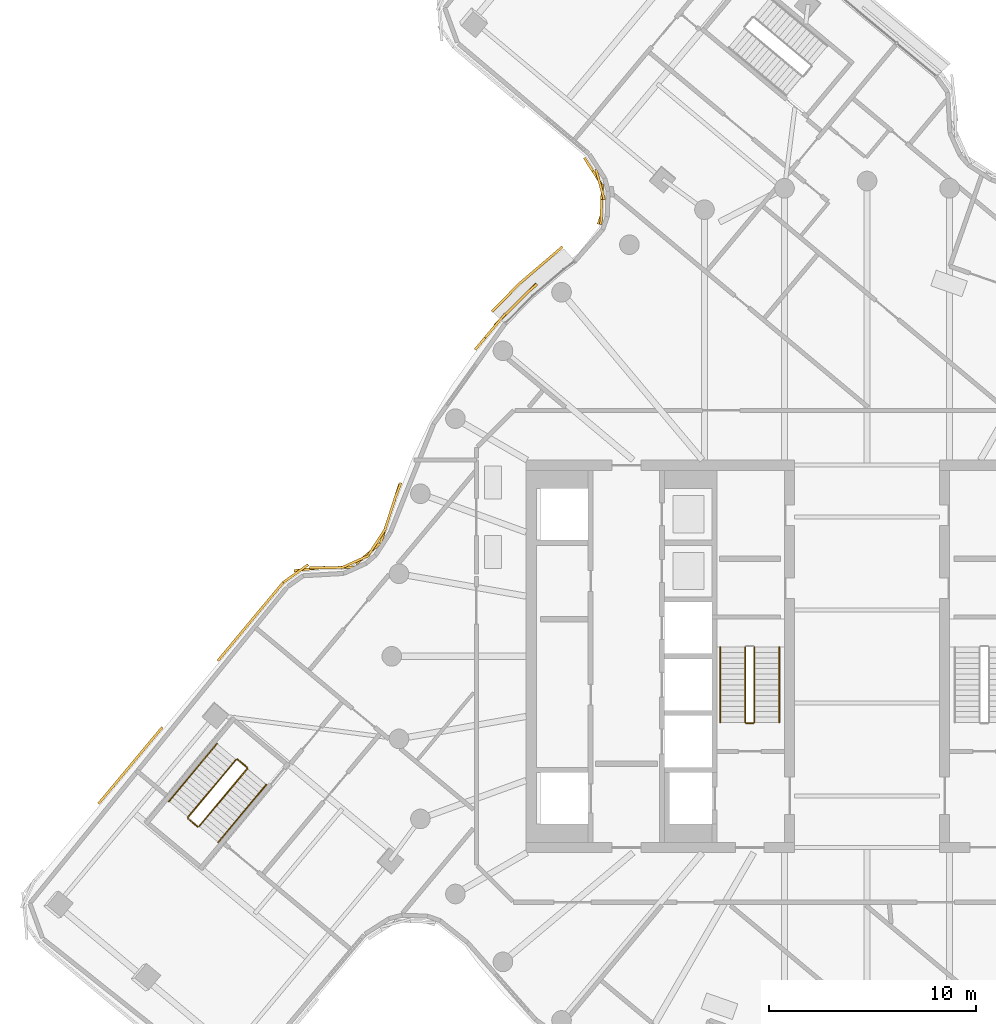
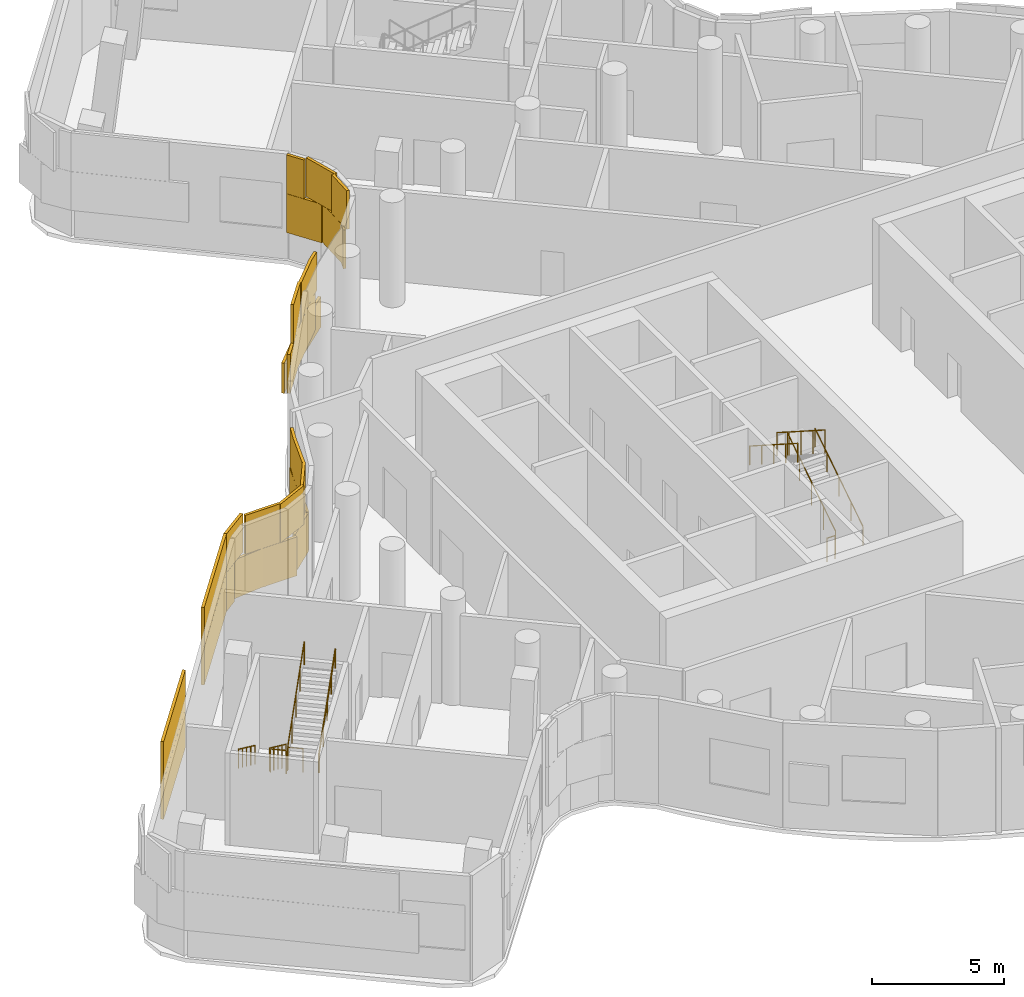
# One storey, part 15 of 19: 11 railings, 4 coverings.
"""IFC4 building model written with IfcOpenShell, lengths in metres."""

from ifc_helpers import new_model, si_unit, direction, frame, origin, origin_2d, place, context, subcontext, project, spatial, rectangle, circle, extrude, material, layer, layer_set, type_object, element, save


model = new_model("IFC4")

# Units and contexts
model_context = context("Model", 3, precision=1e-05, world=origin(), true_north=direction((0.0, 1.0)))
body_context = subcontext(model_context, "Body", "Model", "MODEL_VIEW")
ifc_project = project(units=[si_unit("LENGTHUNIT", "METRE"), si_unit("AREAUNIT", "SQUARE_METRE"), si_unit("VOLUMEUNIT", "CUBIC_METRE"), si_unit("PLANEANGLEUNIT", "RADIAN"), si_unit("MASSUNIT", "GRAM", prefix="KILO")], contexts=[model_context])

# Site, building, storey
site_placement = place(None, origin())
site = spatial("IfcSite", under=ifc_project, at=site_placement, CompositionType="ELEMENT")
building_placement = place(site_placement, origin())
building = spatial("IfcBuilding", under=site, at=building_placement, Name="Tamarind Cross Interchange Tower", CompositionType="ELEMENT")
storey_placement = place(building_placement, frame((0.0, 0.0, 214.89990234375)))
storey = spatial("IfcBuildingStorey", under=building, at=storey_placement, Name="L54", CompositionType="ELEMENT", Elevation=214.89990234375)

# Railings
ifc_material_1 = material(Name="Stair guard")
railing_type_1 = type_object("IfcRailingType", Name="Stair guard", PredefinedType="GUARDRAIL", material=ifc_material_1)
railing_1_placement = place(storey_placement, frame((-5.449951171875, -3.199951171875, 0.166748046875)))
element("IfcRailing", 1, at=railing_1_placement, inside=storey, type_object=railing_type_1, Name="L54 ST1 stair guard 1", PredefinedType="GUARDRAIL", context=body_context, shape_type="SweptSolid", body=[
    extrude(circle(Radius=0.02392578125, at=origin_2d()), frame((0.0, 0.0, 1.076171875), z_axis=(0.0, 0.841880454617, 0.539664062296), x_axis=(-1.0, 0.0, 0.0)), (0.0, 0.0, 1.0), 4.323486328125),
    extrude(circle(Radius=0.02099609375, at=origin_2d()), origin(), (0.0, 0.0, 1.0), 1.052001953125),
    extrude(circle(Radius=0.02099609375, at=origin_2d()), frame((0.0, 0.909912109375, 0.583251953125)), (0.0, 0.0, 1.0), 1.052001953125),
    extrude(circle(Radius=0.02099609375, at=origin_2d()), frame((0.0, 1.81982421875, 1.16650390625)), (0.0, 0.0, 1.0), 1.052001953125),
    extrude(circle(Radius=0.02099609375, at=origin_2d()), frame((0.0, 2.72998046875, 1.75)), (0.0, 0.0, 1.0), 1.052001953125),
    extrude(circle(Radius=0.02099609375, at=origin_2d()), frame((0.0, 3.639892578125, 2.333251953125)), (0.0, 0.0, 1.0), 1.052001953125),
])
railing_2_placement = place(storey_placement, frame((-5.89990234375, 0.43994140625, 2.666748046875)))
element("IfcRailing", 2, at=railing_2_placement, inside=storey, type_object=railing_type_1, Name="L54 ST1 stair guard 3", PredefinedType="GUARDRAIL", context=body_context, shape_type="SweptSolid", body=[
    extrude(circle(Radius=0.02392578125, at=origin_2d()), frame((0.0, 0.0, 1.076171875), z_axis=(0.0, -0.841880454617, 0.539664062296), x_axis=(1.0, 0.0, 0.0)), (0.0, 0.0, 1.0), 4.323486328125),
    extrude(circle(Radius=0.02099609375, at=origin_2d()), origin(), (0.0, 0.0, 1.0), 1.052001953125),
    extrude(circle(Radius=0.02099609375, at=origin_2d()), frame((0.0, -0.909912109375, 0.583251953125)), (0.0, 0.0, 1.0), 1.052001953125),
    extrude(circle(Radius=0.02099609375, at=origin_2d()), frame((0.0, -1.81982421875, 1.16650390625)), (0.0, 0.0, 1.0), 1.052001953125),
    extrude(circle(Radius=0.02099609375, at=origin_2d()), frame((0.0, -2.72998046875, 1.75)), (0.0, 0.0, 1.0), 1.052001953125),
    extrude(circle(Radius=0.02099609375, at=origin_2d()), frame((0.0, -3.639892578125, 2.333251953125)), (0.0, 0.0, 1.0), 1.052001953125),
])
railing_3_placement = place(storey_placement, frame((-5.5, -3.25, 0.0)))
element("IfcRailing", 3, at=railing_3_placement, inside=storey, type_object=railing_type_1, Name="L54 ST1 stair guard 4", PredefinedType="GUARDRAIL", context=body_context, shape_type="SweptSolid", body=[
    extrude(circle(Radius=0.02392578125, at=origin_2d()), frame((0.0, 0.0, 1.076171875), z_axis=(-1.0, 0.0, 0.0), x_axis=(0.0, -1.0, 0.0)), (0.0, 0.0, 1.0), 0.35009765625),
    extrude(circle(Radius=0.02099609375, at=origin_2d()), origin(), (0.0, 0.0, 1.0), 1.052001953125),
    extrude(circle(Radius=0.02099609375, at=origin_2d()), frame((-0.35009765625, 0.0, 0.0)), (0.0, 0.0, 1.0), 1.052001953125),
])
railing_4_placement = place(storey_placement, frame((-30.531005859375, -4.9931640625, 0.166748046875)))
element("IfcRailing", 4, at=railing_4_placement, inside=storey, type_object=railing_type_1, Name="L54 ST5 stair guard 1", PredefinedType="GUARDRAIL", context=body_context, shape_type="SweptSolid", body=[
    extrude(circle(Radius=0.02392578125, at=origin_2d()), frame((0.0, 0.0, 1.076171875), z_axis=(-0.539465034824, -0.646352967723, 0.539634429329), x_axis=(0.767731785884, -0.640771335925, 0.0)), (0.0, 0.0, 1.0), 4.32373046875),
    extrude(circle(Radius=0.02099609375, at=origin_2d()), origin(), (0.0, 0.0, 1.0), 1.052001953125),
    extrude(circle(Radius=0.02099609375, at=origin_2d()), frame((-0.5830078125, -0.69873046875, 0.583251953125)), (0.0, 0.0, 1.0), 1.052001953125),
    extrude(circle(Radius=0.02099609375, at=origin_2d()), frame((-1.166259765625, -1.3974609375, 1.16650390625)), (0.0, 0.0, 1.0), 1.052001953125),
    extrude(circle(Radius=0.02099609375, at=origin_2d()), frame((-1.74951171875, -2.095947265625, 1.75)), (0.0, 0.0, 1.0), 1.052001953125),
    extrude(circle(Radius=0.02099609375, at=origin_2d()), frame((-2.33251953125, -2.794677734375, 2.333251953125)), (0.0, 0.0, 1.0), 1.052001953125),
])
railing_5_placement = place(storey_placement, frame((-32.857177734375, -7.858154296875, 2.5)))
element("IfcRailing", 5, at=railing_5_placement, inside=storey, type_object=railing_type_1, Name="L54 ST5 stair guard 2", PredefinedType="GUARDRAIL", context=body_context, shape_type="SweptSolid", body=[
    extrude(circle(Radius=0.02392578125, at=origin_2d()), frame((0.0, 0.0, 1.076171875), z_axis=(0.767720823012, -0.640784470718, 0.0), x_axis=(0.640784470718, 0.767720823012, 0.0)), (0.0, 0.0, 1.0), 0.60009765625),
    extrude(circle(Radius=0.02099609375, at=origin_2d()), origin(), (0.0, 0.0, 1.0), 1.052001953125),
    extrude(circle(Radius=0.02099609375, at=origin_2d()), frame((0.460693359375, -0.384521484375, 0.0)), (0.0, 0.0, 1.0), 1.052001953125),
])
railing_6_placement = place(storey_placement, frame((-32.326171875, -8.236328125, 2.666748046875)))
element("IfcRailing", 6, at=railing_6_placement, inside=storey, type_object=railing_type_1, Name="L54 ST5 stair guard 3", PredefinedType="GUARDRAIL", context=body_context, shape_type="SweptSolid", body=[
    extrude(circle(Radius=0.02392578125, at=origin_2d()), frame((0.0, 0.0, 1.076171875), z_axis=(0.539484723473, 0.646320090525, 0.539654124161), x_axis=(-0.76770424629, 0.640804330688, 0.0)), (0.0, 0.0, 1.0), 4.323486328125),
    extrude(circle(Radius=0.02099609375, at=origin_2d()), origin(), (0.0, 0.0, 1.0), 1.052001953125),
    extrude(circle(Radius=0.02099609375, at=origin_2d()), frame((0.5830078125, 0.69873046875, 0.583251953125)), (0.0, 0.0, 1.0), 1.052001953125),
    extrude(circle(Radius=0.02099609375, at=origin_2d()), frame((1.166259765625, 1.397216796875, 1.16650390625)), (0.0, 0.0, 1.0), 1.052001953125),
    extrude(circle(Radius=0.02099609375, at=origin_2d()), frame((1.74951171875, 2.095703125, 1.75)), (0.0, 0.0, 1.0), 1.052001953125),
    extrude(circle(Radius=0.02099609375, at=origin_2d()), frame((2.33251953125, 2.79443359375, 2.333251953125)), (0.0, 0.0, 1.0), 1.052001953125),
])
railing_7_placement = place(storey_placement, frame((-30.460693359375, -4.98681640625, 0.0)))
element("IfcRailing", 7, at=railing_7_placement, inside=storey, type_object=railing_type_1, Name="L54 ST5 stair guard 4", PredefinedType="GUARDRAIL", context=body_context, shape_type="SweptSolid", body=[
    extrude(circle(Radius=0.02392578125, at=origin_2d()), frame((0.0, 0.0, 1.076171875), z_axis=(0.767720823012, -0.640784470718, 0.0), x_axis=(0.640784470718, 0.767720823012, 0.0)), (0.0, 0.0, 1.0), 0.60009765625),
    extrude(circle(Radius=0.02099609375, at=origin_2d()), origin(), (0.0, 0.0, 1.0), 1.052001953125),
    extrude(circle(Radius=0.02099609375, at=origin_2d()), frame((0.460693359375, -0.384521484375, 0.0)), (0.0, 0.0, 1.0), 1.052001953125),
])
ifc_material_2 = material(Name="Stair handrail")
railing_type_2 = type_object("IfcRailingType", Name="Stair handrail", PredefinedType="HANDRAIL", material=ifc_material_2)
railing_8_placement = place(storey_placement, frame((-4.25, -3.199951171875, 0.166748046875)))
element("IfcRailing", 8, at=railing_8_placement, inside=storey, type_object=railing_type_2, Name="L54 ST1 stair handrail 1", PredefinedType="HANDRAIL", context=body_context, shape_type="SweptSolid", body=[
    extrude(circle(Radius=0.02392578125, at=origin_2d()), frame((0.0, 0.0, 0.8759765625), z_axis=(0.0, 0.841880454617, 0.539664062296), x_axis=(-1.0, 0.0, 0.0)), (0.0, 0.0, 1.0), 4.323486328125),
    extrude(circle(Radius=0.02099609375, at=origin_2d()), origin(), (0.0, 0.0, 1.0), 0.851806640625),
    extrude(circle(Radius=0.02099609375, at=origin_2d()), frame((0.0, 0.909912109375, 0.583251953125)), (0.0, 0.0, 1.0), 0.851806640625),
    extrude(circle(Radius=0.02099609375, at=origin_2d()), frame((0.0, 1.81982421875, 1.16650390625)), (0.0, 0.0, 1.0), 0.851806640625),
    extrude(circle(Radius=0.02099609375, at=origin_2d()), frame((0.0, 2.72998046875, 1.75)), (0.0, 0.0, 1.0), 0.851806640625),
    extrude(circle(Radius=0.02099609375, at=origin_2d()), frame((0.0, 3.639892578125, 2.333251953125)), (0.0, 0.0, 1.0), 0.851806640625),
])
railing_9_placement = place(storey_placement, frame((-7.10009765625, 0.43994140625, 2.666748046875)))
element("IfcRailing", 9, at=railing_9_placement, inside=storey, type_object=railing_type_2, Name="L54 ST1 stair handrail 2", PredefinedType="HANDRAIL", context=body_context, shape_type="SweptSolid", body=[
    extrude(circle(Radius=0.02392578125, at=origin_2d()), frame((0.0, 0.0, 0.8759765625), z_axis=(0.0, -0.841880454617, 0.539664062296), x_axis=(1.0, 0.0, 0.0)), (0.0, 0.0, 1.0), 4.323486328125),
    extrude(circle(Radius=0.02099609375, at=origin_2d()), origin(), (0.0, 0.0, 1.0), 0.851806640625),
    extrude(circle(Radius=0.02099609375, at=origin_2d()), frame((0.0, -0.909912109375, 0.583251953125)), (0.0, 0.0, 1.0), 0.851806640625),
    extrude(circle(Radius=0.02099609375, at=origin_2d()), frame((0.0, -1.81982421875, 1.16650390625)), (0.0, 0.0, 1.0), 0.851806640625),
    extrude(circle(Radius=0.02099609375, at=origin_2d()), frame((0.0, -2.72998046875, 1.75)), (0.0, 0.0, 1.0), 0.851806640625),
    extrude(circle(Radius=0.02099609375, at=origin_2d()), frame((0.0, -3.639892578125, 2.333251953125)), (0.0, 0.0, 1.0), 0.851806640625),
])
railing_10_placement = place(storey_placement, frame((-31.452392578125, -4.224365234375, 0.166748046875)))
element("IfcRailing", 10, at=railing_10_placement, inside=storey, type_object=railing_type_2, Name="L54 ST5 stair handrail 1", PredefinedType="HANDRAIL", context=body_context, shape_type="SweptSolid", body=[
    extrude(circle(Radius=0.02392578125, at=origin_2d()), frame((0.0, 0.0, 0.8759765625), z_axis=(-0.539444689086, -0.646339779261, 0.53967056355), x_axis=(0.76773724256, -0.640764798024, 0.0)), (0.0, 0.0, 1.0), 4.323486328125),
    extrude(circle(Radius=0.02099609375, at=origin_2d()), origin(), (0.0, 0.0, 1.0), 0.851806640625),
    extrude(circle(Radius=0.02099609375, at=origin_2d()), frame((-0.5830078125, -0.69873046875, 0.583251953125)), (0.0, 0.0, 1.0), 0.851806640625),
    extrude(circle(Radius=0.02099609375, at=origin_2d()), frame((-1.166015625, -1.397216796875, 1.16650390625)), (0.0, 0.0, 1.0), 0.851806640625),
    extrude(circle(Radius=0.02099609375, at=origin_2d()), frame((-1.749267578125, -2.095703125, 1.75)), (0.0, 0.0, 1.0), 0.851806640625),
    extrude(circle(Radius=0.02099609375, at=origin_2d()), frame((-2.332275390625, -2.79443359375, 2.333251953125)), (0.0, 0.0, 1.0), 0.851806640625),
])
railing_11_placement = place(storey_placement, frame((-31.40478515625, -9.00537109375, 2.666748046875)))
element("IfcRailing", 11, at=railing_11_placement, inside=storey, type_object=railing_type_2, Name="L54 ST5 stair handrail 2", PredefinedType="HANDRAIL", context=body_context, shape_type="SweptSolid", body=[
    extrude(circle(Radius=0.02392578125, at=origin_2d()), frame((0.0, 0.0, 0.8759765625), z_axis=(0.539425000698, 0.646372656024, 0.539650866919), x_axis=(-0.76776477994, 0.64073180246, 0.0)), (0.0, 0.0, 1.0), 4.32373046875),
    extrude(circle(Radius=0.02099609375, at=origin_2d()), origin(), (0.0, 0.0, 1.0), 0.851806640625),
    extrude(circle(Radius=0.02099609375, at=origin_2d()), frame((0.5830078125, 0.69873046875, 0.583251953125)), (0.0, 0.0, 1.0), 0.851806640625),
    extrude(circle(Radius=0.02099609375, at=origin_2d()), frame((1.166015625, 1.3974609375, 1.16650390625)), (0.0, 0.0, 1.0), 0.851806640625),
    extrude(circle(Radius=0.02099609375, at=origin_2d()), frame((1.749267578125, 2.095947265625, 1.75)), (0.0, 0.0, 1.0), 0.851806640625),
    extrude(circle(Radius=0.02099609375, at=origin_2d()), frame((2.332275390625, 2.794677734375, 2.333251953125)), (0.0, 0.0, 1.0), 0.851806640625),
])

# Coverings
ifc_material_3 = material(Name="Terracotta", Category="masonry")
ifc_layer = layer(ifc_material_3, 0.1201171875)
ifc_layer_set = layer_set([ifc_layer], Name="Terracotta")
covering_type = type_object("IfcCoveringType", Name="Terracotta baguette screen unit", PredefinedType="MOLDING", material=ifc_layer_set)
covering_1_placement = place(storey_placement, origin())
element("IfcCovering", 12, at=covering_1_placement, inside=storey, type_object=covering_type, Name="SCR-L54-10-00", PredefinedType="MOLDING", context=body_context, shape_type="SweptSolid", body=[
    extrude(rectangle(XDim=1.510009765625, YDim=0.1201171875, at=origin_2d()), frame((-13.26953125, 23.488037109375, 1.404052734375), z_axis=(0.0, 0.0, 1.0), x_axis=(0.54043201221, -0.841387687204, 0.0)), (0.0, 0.0, 1.0), 1.7919921875),
    extrude(rectangle(XDim=1.52001953125, YDim=0.1201171875, at=origin_2d()), frame((-12.833740234375, 22.09716796875, 1.404052734375), z_axis=(0.0, 0.0, 1.0), x_axis=(-0.03771882243, -0.999288392024, 0.0)), (0.0, 0.0, 1.0), 1.7919921875),
    extrude(rectangle(XDim=0.46630859375, YDim=0.1201171875, at=origin_2d()), frame((-12.9306640625, 21.13134765625, 1.404052734375), z_axis=(0.0, 0.0, 1.0), x_axis=(-0.335434954625, -0.942063369002, 0.0)), (0.0, 0.0, 1.0), 1.7919921875),
    extrude(rectangle(XDim=1.353759765625, YDim=0.1201171875, at=origin_2d()), frame((-16.48095703125, 17.5576171875, 1.404052734375), z_axis=(0.0, 0.0, 1.0), x_axis=(-0.704057148523, -0.710143317658, 0.0)), (0.0, 0.0, 1.0), 1.7919921875),
    extrude(rectangle(XDim=1.52001953125, YDim=0.1201171875, at=origin_2d()), frame((-17.48193359375, 16.548095703125, 1.404052734375), z_axis=(0.0, 0.0, 1.0), x_axis=(-0.704057148523, -0.710143317658, 0.0)), (0.0, 0.0, 1.0), 1.7919921875),
    extrude(rectangle(XDim=1.52001953125, YDim=0.1201171875, at=origin_2d()), frame((-18.47314453125, 15.423583984375, 1.404052734375), z_axis=(0.0, 0.0, 1.0), x_axis=(-0.643009266048, -0.765858396687, 0.0)), (0.0, 0.0, 1.0), 1.7919921875),
    extrude(rectangle(XDim=0.760009765625, YDim=0.1201171875, at=origin_2d()), frame((-13.47216796875, 23.8037109375, 3.2041015625), z_axis=(0.0, 0.0, 1.0), x_axis=(0.54043201221, -0.841387687204, 0.0)), (0.0, 0.0, 1.0), 1.7919921875),
    extrude(rectangle(XDim=1.52001953125, YDim=0.1201171875, at=origin_2d()), frame((-12.91650390625, 22.833740234375, 3.2041015625), z_axis=(0.0, 0.0, 1.0), x_axis=(0.26346403158, -0.964669220025, 0.0)), (0.0, 0.0, 1.0), 1.7919921875),
    extrude(rectangle(XDim=1.21630859375, YDim=0.1201171875, at=origin_2d()), frame((-12.8564453125, 21.494384765625, 3.2041015625), z_axis=(0.0, 0.0, 1.0), x_axis=(-0.03771882243, -0.999288392024, 0.0)), (0.0, 0.0, 1.0), 1.7919921875),
    extrude(rectangle(XDim=0.603759765625, YDim=0.1201171875, at=origin_2d()), frame((-16.203125, 17.80908203125, 3.2041015625), z_axis=(0.0, 0.0, 1.0), x_axis=(-0.760295606781, -0.64957723968, 0.0)), (0.0, 0.0, 1.0), 1.7919921875),
    extrude(rectangle(XDim=1.52001953125, YDim=0.1201171875, at=origin_2d()), frame((-16.953857421875, 17.08056640625, 3.2041015625), z_axis=(0.0, 0.0, 1.0), x_axis=(-0.704057148523, -0.710143317658, 0.0)), (0.0, 0.0, 1.0), 1.7919921875),
    extrude(rectangle(XDim=1.52001953125, YDim=0.1201171875, at=origin_2d()), frame((-17.990966796875, 15.998046875, 3.2041015625), z_axis=(0.0, 0.0, 1.0), x_axis=(-0.643009266048, -0.765858396687, 0.0)), (0.0, 0.0, 1.0), 1.7919921875),
    extrude(rectangle(XDim=1.385986328125, YDim=0.1201171875, at=origin_2d()), frame((-15.268798828125, 19.362548828125, 0.004150390625), z_axis=(0.0, 0.0, 1.0), x_axis=(-0.760295606781, -0.64957723968, 0.0)), (0.0, 0.0, 1.0), 1.39208984375),
    extrude(rectangle(XDim=1.52001953125, YDim=0.1201171875, at=origin_2d()), frame((-16.358154296875, 18.431640625, 0.004150390625), z_axis=(0.0, 0.0, 1.0), x_axis=(-0.760295606781, -0.64957723968, 0.0)), (0.0, 0.0, 1.0), 1.39208984375),
    extrude(rectangle(XDim=1.52001953125, YDim=0.1201171875, at=origin_2d()), frame((-17.445556640625, 17.400146484375, 0.004150390625), z_axis=(0.0, 0.0, 1.0), x_axis=(-0.704057148523, -0.710143317658, 0.0)), (0.0, 0.0, 1.0), 1.39208984375),
    extrude(rectangle(XDim=0.26220703125, YDim=0.1201171875, at=origin_2d()), frame((-18.058837890625, 16.781494140625, 0.004150390625), z_axis=(0.0, 0.0, 1.0), x_axis=(-0.704057148523, -0.710143317658, 0.0)), (0.0, 0.0, 1.0), 1.39208984375),
])
covering_2_placement = place(storey_placement, origin())
element("IfcCovering", 13, at=covering_2_placement, inside=storey, type_object=covering_type, Name="SCR-L54-10-01", PredefinedType="MOLDING", context=body_context, shape_type="SweptSolid", body=[
    extrude(rectangle(XDim=1.52001953125, YDim=0.1201171875, at=origin_2d()), frame((-22.84765625, 7.619873046875, 1.404052734375), z_axis=(0.0, 0.0, 1.0), x_axis=(-0.308178575316, -0.951328526702, 0.0)), (0.0, 0.0, 1.0), 1.7919921875),
    extrude(rectangle(XDim=1.52001953125, YDim=0.1201171875, at=origin_2d()), frame((-23.309814453125, 6.19287109375, 1.404052734375), z_axis=(0.0, 0.0, 1.0), x_axis=(-0.308178575316, -0.951328526702, 0.0)), (0.0, 0.0, 1.0), 1.7919921875),
    extrude(rectangle(XDim=1.52001953125, YDim=0.1201171875, at=origin_2d()), frame((-24.1513671875, 4.962890625, 1.404052734375), z_axis=(0.0, 0.0, 1.0), x_axis=(-0.758541996585, -0.651624155028, 0.0)), (0.0, 0.0, 1.0), 1.7919921875),
    extrude(rectangle(XDim=1.52001953125, YDim=0.1201171875, at=origin_2d()), frame((-25.475341796875, 4.300048828125, 1.404052734375), z_axis=(0.0, 0.0, 1.0), x_axis=(-0.999950698732, -0.009929758595, 0.0)), (0.0, 0.0, 1.0), 1.7919921875),
    extrude(rectangle(XDim=1.52001953125, YDim=0.1201171875, at=origin_2d()), frame((-26.9716796875, 4.225830078125, 1.404052734375), z_axis=(0.0, 0.0, 1.0), x_axis=(-0.994180648919, -0.107725750473, 0.0)), (0.0, 0.0, 1.0), 1.7919921875),
    extrude(rectangle(XDim=0.739990234375, YDim=0.1201171875, at=origin_2d()), frame((-27.957275390625, 3.782958984375, 1.404052734375), z_axis=(0.0, 0.0, 1.0), x_axis=(-0.814166084479, -0.580632058092, 0.0)), (0.0, 0.0, 1.0), 1.7919921875),
    extrude(rectangle(XDim=0.83154296875, YDim=0.1201171875, at=origin_2d()), frame((-22.70556640625, 8.005126953125, 3.2041015625), z_axis=(0.0, 0.0, 1.0), x_axis=(-0.359495435512, -0.933146843667, 0.0)), (0.0, 0.0, 1.0), 1.7919921875),
    extrude(rectangle(XDim=1.52001953125, YDim=0.1201171875, at=origin_2d()), frame((-23.078857421875, 6.906494140625, 3.2041015625), z_axis=(0.0, 0.0, 1.0), x_axis=(-0.308178575316, -0.951328526702, 0.0)), (0.0, 0.0, 1.0), 1.7919921875),
    extrude(rectangle(XDim=1.52001953125, YDim=0.1201171875, at=origin_2d()), frame((-23.70166015625, 5.555908203125, 3.2041015625), z_axis=(0.0, 0.0, 1.0), x_axis=(-0.54401517021, -0.839075380751, 0.0)), (0.0, 0.0, 1.0), 1.7919921875),
    extrude(rectangle(XDim=1.52001953125, YDim=0.1201171875, at=origin_2d()), frame((-24.7841796875, 4.57470703125, 3.2041015625), z_axis=(0.0, 0.0, 1.0), x_axis=(-0.911505765954, -0.411287294518, 0.0)), (0.0, 0.0, 1.0), 1.7919921875),
    extrude(rectangle(XDim=1.52001953125, YDim=0.1201171875, at=origin_2d()), frame((-26.225341796875, 4.29248046875, 3.2041015625), z_axis=(0.0, 0.0, 1.0), x_axis=(-0.999950698732, -0.009929758595, 0.0)), (0.0, 0.0, 1.0), 1.7919921875),
    extrude(rectangle(XDim=1.489990234375, YDim=0.1201171875, at=origin_2d()), frame((-27.652099609375, 4.000732421875, 3.2041015625), z_axis=(0.0, 0.0, 1.0), x_axis=(-0.814166084479, -0.580632058092, 0.0)), (0.0, 0.0, 1.0), 1.7919921875),
])
covering_3_placement = place(storey_placement, origin())
element("IfcCovering", 14, at=covering_3_placement, inside=storey, type_object=covering_type, Name="SCR-L54-11-00", PredefinedType="MOLDING", context=body_context, shape_type="SweptSolid", body=[
    extrude(rectangle(XDim=1.510009765625, YDim=0.1201171875, at=origin_2d()), frame((-28.735107421875, 2.995361328125, 1.404052734375), z_axis=(0.0, 0.0, 1.0), x_axis=(-0.640774549773, -0.767729103501, 0.0)), (0.0, 0.0, 1.0), 1.7919921875),
    extrude(rectangle(XDim=1.52001953125, YDim=0.1201171875, at=origin_2d()), frame((-29.6962890625, 1.84375, 1.404052734375), z_axis=(0.0, 0.0, 1.0), x_axis=(-0.640774549773, -0.767729103501, 0.0)), (0.0, 0.0, 1.0), 1.7919921875),
    extrude(rectangle(XDim=1.52001953125, YDim=0.1201171875, at=origin_2d()), frame((-30.657470703125, 0.692138671875, 1.404052734375), z_axis=(0.0, 0.0, 1.0), x_axis=(-0.640774549773, -0.767729103501, 0.0)), (0.0, 0.0, 1.0), 1.7919921875),
    extrude(rectangle(XDim=0.44091796875, YDim=0.1201171875, at=origin_2d()), frame((-31.276123046875, -0.049072265625, 1.404052734375), z_axis=(0.0, 0.0, 1.0), x_axis=(-0.640774549773, -0.767729103501, 0.0)), (0.0, 0.0, 1.0), 1.7919921875),
    extrude(rectangle(XDim=0.760009765625, YDim=0.1201171875, at=origin_2d()), frame((-28.49462890625, 3.283203125, 3.2041015625), z_axis=(0.0, 0.0, 1.0), x_axis=(-0.640774549773, -0.767729103501, 0.0)), (0.0, 0.0, 1.0), 1.7919921875),
    extrude(rectangle(XDim=1.52001953125, YDim=0.1201171875, at=origin_2d()), frame((-29.215576171875, 2.41943359375, 3.2041015625), z_axis=(0.0, 0.0, 1.0), x_axis=(-0.640774549773, -0.767729103501, 0.0)), (0.0, 0.0, 1.0), 1.7919921875),
    extrude(rectangle(XDim=1.52001953125, YDim=0.1201171875, at=origin_2d()), frame((-30.1767578125, 1.267822265625, 3.2041015625), z_axis=(0.0, 0.0, 1.0), x_axis=(-0.640774549773, -0.767729103501, 0.0)), (0.0, 0.0, 1.0), 1.7919921875),
    extrude(rectangle(XDim=1.19091796875, YDim=0.1201171875, at=origin_2d()), frame((-31.03564453125, 0.23876953125, 3.2041015625), z_axis=(0.0, 0.0, 1.0), x_axis=(-0.640774549773, -0.767729103501, 0.0)), (0.0, 0.0, 1.0), 1.7919921875),
])
covering_4_placement = place(storey_placement, origin())
element("IfcCovering", 15, at=covering_4_placement, inside=storey, type_object=covering_type, Name="SCR-L54-11-01", PredefinedType="MOLDING", context=body_context, shape_type="SweptSolid", body=[
    extrude(rectangle(XDim=1.37890625, YDim=0.1201171875, at=origin_2d()), frame((-34.5439453125, -3.964599609375, 1.404052734375), z_axis=(0.0, 0.0, 1.0), x_axis=(-0.640774549773, -0.767729103501, 0.0)), (0.0, 0.0, 1.0), 1.7919921875),
    extrude(rectangle(XDim=1.52001953125, YDim=0.1201171875, at=origin_2d()), frame((-35.463134765625, -5.06591796875, 1.404052734375), z_axis=(0.0, 0.0, 1.0), x_axis=(-0.640774549773, -0.767729103501, 0.0)), (0.0, 0.0, 1.0), 1.7919921875),
    extrude(rectangle(XDim=1.52001953125, YDim=0.1201171875, at=origin_2d()), frame((-36.42431640625, -6.217529296875, 1.404052734375), z_axis=(0.0, 0.0, 1.0), x_axis=(-0.640774549773, -0.767729103501, 0.0)), (0.0, 0.0, 1.0), 1.7919921875),
    extrude(rectangle(XDim=0.452392578125, YDim=0.1201171875, at=origin_2d()), frame((-37.046630859375, -6.963134765625, 1.404052734375), z_axis=(0.0, 0.0, 1.0), x_axis=(-0.640774549773, -0.767729103501, 0.0)), (0.0, 0.0, 1.0), 1.7919921875),
    extrude(rectangle(XDim=0.62890625, YDim=0.1201171875, at=origin_2d()), frame((-34.3037109375, -3.6767578125, 3.2041015625), z_axis=(0.0, 0.0, 1.0), x_axis=(-0.640774549773, -0.767729103501, 0.0)), (0.0, 0.0, 1.0), 1.7919921875),
    extrude(rectangle(XDim=1.52001953125, YDim=0.1201171875, at=origin_2d()), frame((-34.982666015625, -4.489990234375, 3.2041015625), z_axis=(0.0, 0.0, 1.0), x_axis=(-0.640774549773, -0.767729103501, 0.0)), (0.0, 0.0, 1.0), 1.7919921875),
    extrude(rectangle(XDim=1.52001953125, YDim=0.1201171875, at=origin_2d()), frame((-35.94384765625, -5.6416015625, 3.2041015625), z_axis=(0.0, 0.0, 1.0), x_axis=(-0.640774549773, -0.767729103501, 0.0)), (0.0, 0.0, 1.0), 1.7919921875),
    extrude(rectangle(XDim=1.202392578125, YDim=0.1201171875, at=origin_2d()), frame((-36.806396484375, -6.675048828125, 3.2041015625), z_axis=(0.0, 0.0, 1.0), x_axis=(-0.640774549773, -0.767729103501, 0.0)), (0.0, 0.0, 1.0), 1.7919921875),
])

save(model, "model.ifc")
